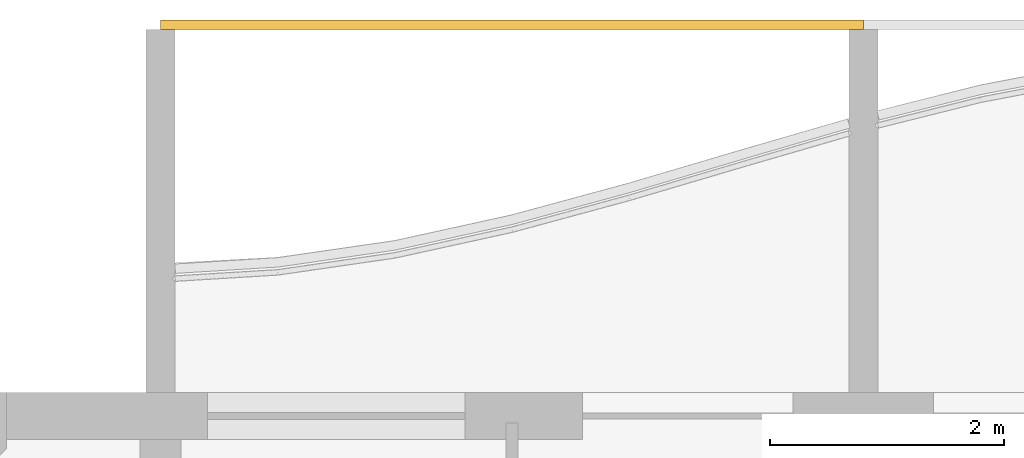
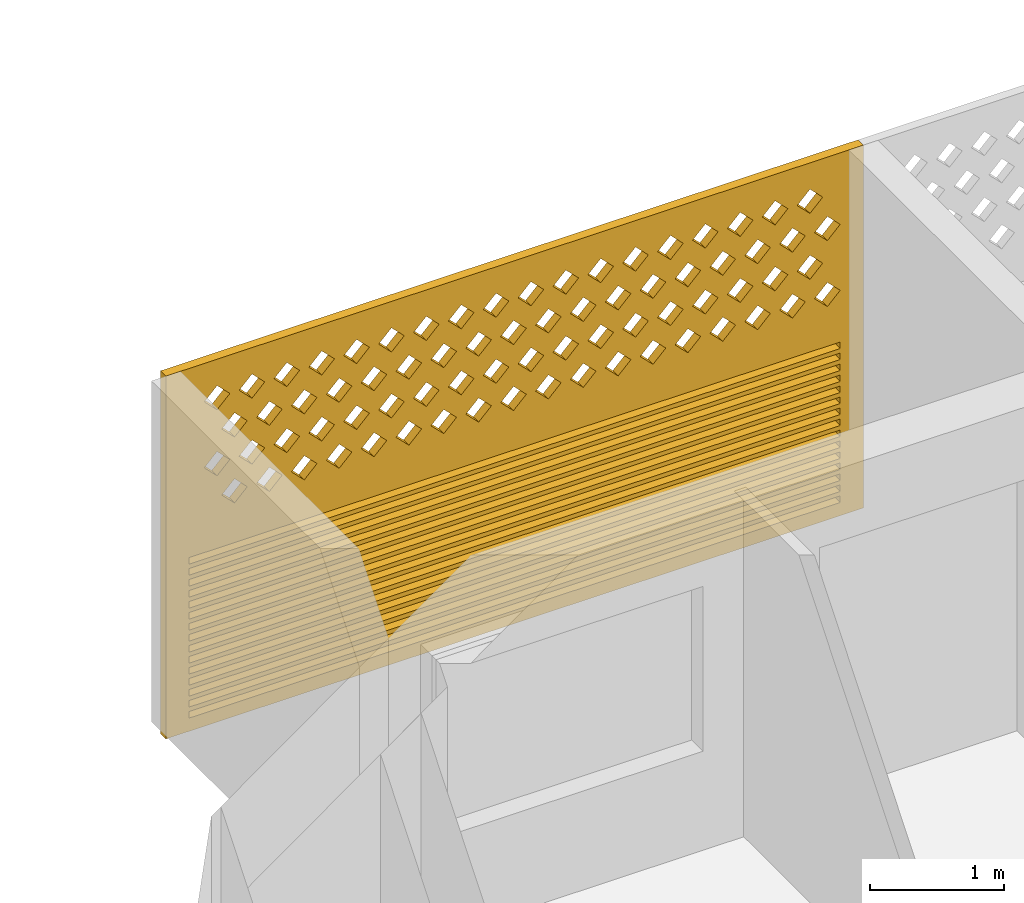
# One storey, part 19 of 27: 1 covering.
"""IFC4 building model written with IfcOpenShell, lengths in metres."""

import ifcopenshell
import ifcopenshell.guid

model = None  # the IFC model being written
_history = None  # IfcOwnerHistory: only IFC2X3 demands one
_inside = {}  # id of a spatial element -> (the spatial element, [elements in it])
_under = {}  # id of a project, library or spatial element -> (it, [spatial elements below it])
_declared = {}  # id of a project -> (the project, [libraries it declares])
_typed = {}  # id of a type object -> (the type object, [elements of that type])
_made_of = {}  # id of a material, layer set ... -> (it, [elements and type objects made of it])


def new_model(schema):
    """Start an empty IFC model of exactly this schema.

    Asked for "IFC4X3", IfcOpenShell would pick the latest addendum, in which some entities
    have other attributes; the version numbers below select the first issue.
    IFC2X3 requires an IfcOwnerHistory on every rooted entity: one is made here for all.
    """
    global model, _history
    if schema == "IFC4X3":
        model = ifcopenshell.file(schema_version=(4, 3, 0, 0))
    else:
        model = ifcopenshell.file(schema=schema)
    _inside.clear()
    _under.clear()
    _declared.clear()
    _typed.clear()
    _made_of.clear()
    _history = None
    if model.schema == "IFC2X3":
        org = make("IfcOrganization", Name="unknown")
        user = make(
            "IfcPersonAndOrganization",
            ThePerson=make("IfcPerson", FamilyName="unknown"),
            TheOrganization=org,
        )
        app = make(
            "IfcApplication",
            ApplicationDeveloper=org,
            Version="unknown",
            ApplicationFullName="unknown",
            ApplicationIdentifier="unknown",
        )
        _history = make(
            "IfcOwnerHistory",
            OwningUser=user,
            OwningApplication=app,
            ChangeAction="ADDED",
            CreationDate=0,
        )
    return model


def make(cls, **values):
    """One entity of the class cls with the attributes given. An attribute that is None is left unset."""
    return model.create_entity(
        cls, **{name: value for name, value in values.items() if value is not None}
    )


def rooted(cls, **values):
    """An entity with a GlobalId (a new one), such as an element, a storey or a relation."""
    return make(cls, GlobalId=ifcopenshell.guid.new(), OwnerHistory=_history, **values)


def si_unit(unit_type, name, prefix=None):
    """IfcSIUnit, for example si_unit("LENGTHUNIT", "METRE", prefix="MILLI")."""
    return make("IfcSIUnit", UnitType=unit_type, Prefix=prefix, Name=name)


def assignment(units):
    """IfcUnitAssignment: the units of a project."""
    return None if units is None else make("IfcUnitAssignment", Units=units)


def point(xyz):
    """IfcCartesianPoint."""
    return None if xyz is None else make("IfcCartesianPoint", Coordinates=xyz)


def direction(xyz):
    """IfcDirection."""
    return None if xyz is None else make("IfcDirection", DirectionRatios=xyz)


def frame(location, z_axis=None, x_axis=None):
    """IfcAxis2Placement3D, a coordinate frame: its origin and axes. An axis left out is left unset."""
    return make(
        "IfcAxis2Placement3D",
        Location=point(location),
        Axis=direction(z_axis),
        RefDirection=direction(x_axis),
    )


def origin():
    """The frame at (0, 0, 0) with its axes left unset."""
    return frame((0.0, 0.0, 0.0))


def place(relative_to, where):
    """IfcLocalPlacement: puts the frame where relative to a parent placement (None: the world)."""
    return make(
        "IfcLocalPlacement", PlacementRelTo=relative_to, RelativePlacement=where
    )


def context(
    kind, dimensions, precision=None, world=None, true_north=None, identifier=None
):
    """IfcGeometricRepresentationContext, for example the 3D "Model" context."""
    return make(
        "IfcGeometricRepresentationContext",
        ContextIdentifier=identifier,
        ContextType=kind,
        CoordinateSpaceDimension=dimensions,
        Precision=precision,
        WorldCoordinateSystem=world,
        TrueNorth=true_north,
    )


def subcontext(parent, identifier, kind, view, scale=None):
    """IfcGeometricRepresentationSubContext, for example "Body" below "Model"."""
    return make(
        "IfcGeometricRepresentationSubContext",
        ContextIdentifier=identifier,
        ContextType=kind,
        ParentContext=parent,
        TargetScale=scale,
        TargetView=view,
    )


def project(units=None, contexts=None):
    """IfcProject with its units and contexts."""
    return rooted(
        "IfcProject",
        Name="project",
        RepresentationContexts=contexts,
        UnitsInContext=assignment(units),
    )


def spatial(cls, under=None, at=None, **own):
    """A site, building, storey or space (cls), placed at a placement, below another one or the project."""
    s = rooted(cls, ObjectPlacement=at, **own)
    if under is not None:
        _under.setdefault(under.id(), (under, []))[1].append(s)
    return s


def polyline(points):
    """IfcPolyline through the points."""
    return make("IfcPolyline", Points=[point(p) for p in points])


def outline(outer, holes=None, kind="AREA"):
    """IfcArbitraryClosedProfileDef: a profile drawn as a closed curve; with holes, ...WithVoids."""
    if holes is None:
        return make("IfcArbitraryClosedProfileDef", ProfileType=kind, OuterCurve=outer)
    return make(
        "IfcArbitraryProfileDefWithVoids",
        ProfileType=kind,
        OuterCurve=outer,
        InnerCurves=holes,
    )


def extrude(swept, where, along, depth):
    """IfcExtrudedAreaSolid: the profile swept, set in the frame where, extruded along a direction by depth."""
    return make(
        "IfcExtrudedAreaSolid",
        SweptArea=swept,
        Position=where,
        ExtrudedDirection=direction(along),
        Depth=depth,
    )


def shape(context_of_items, identifier, shape_type, items):
    """IfcShapeRepresentation: the items that make up one representation, for example the "Body"."""
    return make(
        "IfcShapeRepresentation",
        ContextOfItems=context_of_items,
        RepresentationIdentifier=identifier,
        RepresentationType=shape_type,
        Items=items,
    )


def source(mapping_origin, context_of_items, identifier, shape_type, items):
    """IfcRepresentationMap: a shape defined once, which mapped items show again and again."""
    return make(
        "IfcRepresentationMap",
        MappingOrigin=mapping_origin,
        MappedRepresentation=shape(context_of_items, identifier, shape_type, items),
    )


def transform(
    local_origin,
    x_axis=None,
    y_axis=None,
    z_axis=None,
    scale=None,
    scale2=None,
    scale3=None,
    uniform=True,
):
    """IfcCartesianTransformationOperator3D, or its non-uniform kind. x_axis, y_axis, z_axis: its Axis1, 2, 3."""
    if uniform:
        return make(
            "IfcCartesianTransformationOperator3D",
            Axis1=direction(x_axis),
            Axis2=direction(y_axis),
            LocalOrigin=point(local_origin),
            Scale=scale,
            Axis3=direction(z_axis),
        )
    return make(
        "IfcCartesianTransformationOperator3DnonUniform",
        Axis1=direction(x_axis),
        Axis2=direction(y_axis),
        LocalOrigin=point(local_origin),
        Scale=scale,
        Axis3=direction(z_axis),
        Scale2=scale2,
        Scale3=scale3,
    )


def mapped(mapping_source, mapping_target):
    """IfcMappedItem: shows the shape of a source again, moved by a transform."""
    return make(
        "IfcMappedItem", MappingSource=mapping_source, MappingTarget=mapping_target
    )


def material(Name=None, Category=None):
    """IfcMaterial."""
    return make("IfcMaterial", Name=Name, Category=Category)


def material_profile(
    of_material, cross_section, Name=None, Category=None, Priority=None
):
    """IfcMaterialProfile: a cross section and its material."""
    return make(
        "IfcMaterialProfile",
        Name=Name,
        Material=of_material,
        Profile=cross_section,
        Priority=Priority,
        Category=Category,
    )


def profile_set(profiles, Name=None, composite=None):
    """IfcMaterialProfileSet."""
    return make(
        "IfcMaterialProfileSet",
        Name=Name,
        MaterialProfiles=profiles,
        CompositeProfile=composite,
    )


def made_of(thing, what):
    """Note that an element or type object is made of a material, layer set ...; save() writes the relation."""
    if what is not None:
        _made_of.setdefault(what.id(), (what, []))[1].append(thing)
    return thing


def type_object(cls, material=None, **own):
    """A type object (cls), such as IfcWallType, which elements share."""
    return made_of(rooted(cls, **own), material)


def element(
    cls,
    number,
    at=None,
    inside=None,
    cuts=None,
    type_object=None,
    material=None,
    context=None,
    identifier="Body",
    shape_type=None,
    held_by="IfcProductDefinitionShape",
    body=None,
    shapes=None,
    **own,
):
    """One element of the class cls, such as IfcWall. Its Tag is "e" and its number.

    at: its placement. inside: the storey or other place that contains it. cuts: it is an
    opening in that element (IfcRelVoidsElement). A single representation is given by context,
    identifier, shape_type and body (its items); several are given by shapes. held_by: the class
    of the entity that holds the representations. save() writes the other relations.
    """
    e = rooted(cls, Tag="e%d" % number, ObjectPlacement=at, **own)
    if body is not None:
        shapes = [shape(context, identifier, shape_type, body)]
    if shapes is not None:
        e.Representation = make(held_by, Representations=shapes)
    if inside is not None:
        _inside.setdefault(inside.id(), (inside, []))[1].append(e)
    if cuts is not None:
        rooted(
            "IfcRelVoidsElement", RelatingBuildingElement=cuts, RelatedOpeningElement=e
        )
    if type_object is not None:
        _typed.setdefault(type_object.id(), (type_object, []))[1].append(e)
    return made_of(e, material)


def aggregate(whole, parts):
    """IfcRelAggregates: a whole, such as a stair, and the parts it consists of."""
    return rooted("IfcRelAggregates", RelatingObject=whole, RelatedObjects=parts)


def save(model, path):
    """Write the relations noted so far, then the file.

    IfcRelAggregates (storeys below a building ...), IfcRelContainedInSpatialStructure (elements
    in a storey), IfcRelDefinesByType, IfcRelAssociatesMaterial and IfcRelDeclares: one each for
    every whole, place, type object, material and project.
    """
    for whole, parts in _under.values():
        aggregate(whole, parts)
    for where, things in _inside.values():
        rooted(
            "IfcRelContainedInSpatialStructure",
            RelatedElements=things,
            RelatingStructure=where,
        )
    for kind, things in _typed.values():
        rooted("IfcRelDefinesByType", RelatedObjects=things, RelatingType=kind)
    for what, things in _made_of.values():
        rooted("IfcRelAssociatesMaterial", RelatedObjects=things, RelatingMaterial=what)
    for by, libraries in _declared.values():
        rooted("IfcRelDeclares", RelatingContext=by, RelatedDefinitions=libraries)
    model.write(path)


model = new_model("IFC4")

# Units and contexts
model_context = context("Model", 3, precision=1e-05, world=origin(), true_north=direction((0.0, 1.0)))
body_context = subcontext(model_context, "Body", "Model", "MODEL_VIEW")
ifc_project = project(units=[si_unit("LENGTHUNIT", "METRE"), si_unit("AREAUNIT", "SQUARE_METRE"), si_unit("VOLUMEUNIT", "CUBIC_METRE"), si_unit("PLANEANGLEUNIT", "RADIAN"), si_unit("MASSUNIT", "GRAM", prefix="KILO")], contexts=[model_context])

# Site, building, storey
site_placement = place(None, origin())
site = spatial("IfcSite", under=ifc_project, at=site_placement, CompositionType="ELEMENT")
building_placement = place(site_placement, origin())
building = spatial("IfcBuilding", under=site, at=building_placement, Name="Poui Terraces", CompositionType="ELEMENT")
storey_placement = place(building_placement, frame((0.0, 0.0, 76.199951171875)))
storey = spatial("IfcBuildingStorey", under=building, at=storey_placement, Name="L20", CompositionType="ELEMENT", Elevation=76.199951171875)

# Covering
ifc_material = material(Name="Terracotta screen", Category="masonry")
ifc_material_profile = material_profile(ifc_material, outline(polyline([(-3.0, -1.64990234375), (3.0, -1.64990234375), (3.0, 1.64990234375), (-3.0, 1.64990234375), (-3.0, -1.64990234375)]), holes=[polyline([(-2.800048828125, 0.39990234375), (-2.68994140625, 0.2900390625), (-2.580078125, 0.39990234375), (-2.68994140625, 0.510009765625), (-2.800048828125, 0.39990234375)]), polyline([(-2.5, 0.39990234375), (-2.389892578125, 0.2900390625), (-2.280029296875, 0.39990234375), (-2.389892578125, 0.510009765625), (-2.5, 0.39990234375)]), polyline([(-2.199951171875, 0.39990234375), (-2.090087890625, 0.2900390625), (-1.97998046875, 0.39990234375), (-2.090087890625, 0.510009765625), (-2.199951171875, 0.39990234375)]), polyline([(-1.89990234375, 0.39990234375), (-1.7900390625, 0.2900390625), (-1.679931640625, 0.39990234375), (-1.7900390625, 0.510009765625), (-1.89990234375, 0.39990234375)]), polyline([(-1.60009765625, 0.39990234375), (-1.489990234375, 0.2900390625), (-1.3798828125, 0.39990234375), (-1.489990234375, 0.510009765625), (-1.60009765625, 0.39990234375)]), polyline([(-1.300048828125, 0.39990234375), (-1.18994140625, 0.2900390625), (-1.080078125, 0.39990234375), (-1.18994140625, 0.510009765625), (-1.300048828125, 0.39990234375)]), polyline([(-1.0, 0.39990234375), (-0.889892578125, 0.2900390625), (-0.780029296875, 0.39990234375), (-0.889892578125, 0.510009765625), (-1.0, 0.39990234375)]), polyline([(-0.699951171875, 0.39990234375), (-0.590087890625, 0.2900390625), (-0.47998046875, 0.39990234375), (-0.590087890625, 0.510009765625), (-0.699951171875, 0.39990234375)]), polyline([(-0.39990234375, 0.39990234375), (-0.2900390625, 0.2900390625), (-0.179931640625, 0.39990234375), (-0.2900390625, 0.510009765625), (-0.39990234375, 0.39990234375)]), polyline([(-0.10009765625, 0.39990234375), (0.010009765625, 0.2900390625), (0.1201171875, 0.39990234375), (0.010009765625, 0.510009765625), (-0.10009765625, 0.39990234375)]), polyline([(0.199951171875, 0.39990234375), (0.31005859375, 0.2900390625), (0.419921875, 0.39990234375), (0.31005859375, 0.510009765625), (0.199951171875, 0.39990234375)]), polyline([(0.5, 0.39990234375), (0.610107421875, 0.2900390625), (0.719970703125, 0.39990234375), (0.610107421875, 0.510009765625), (0.5, 0.39990234375)]), polyline([(0.800048828125, 0.39990234375), (0.909912109375, 0.2900390625), (1.02001953125, 0.39990234375), (0.909912109375, 0.510009765625), (0.800048828125, 0.39990234375)]), polyline([(1.10009765625, 0.39990234375), (1.2099609375, 0.2900390625), (1.320068359375, 0.39990234375), (1.2099609375, 0.510009765625), (1.10009765625, 0.39990234375)]), polyline([(1.39990234375, 0.39990234375), (1.510009765625, 0.2900390625), (1.6201171875, 0.39990234375), (1.510009765625, 0.510009765625), (1.39990234375, 0.39990234375)]), polyline([(1.699951171875, 0.39990234375), (1.81005859375, 0.2900390625), (1.919921875, 0.39990234375), (1.81005859375, 0.510009765625), (1.699951171875, 0.39990234375)]), polyline([(2.0, 0.39990234375), (2.110107421875, 0.2900390625), (2.219970703125, 0.39990234375), (2.110107421875, 0.510009765625), (2.0, 0.39990234375)]), polyline([(2.300048828125, 0.39990234375), (2.409912109375, 0.2900390625), (2.52001953125, 0.39990234375), (2.409912109375, 0.510009765625), (2.300048828125, 0.39990234375)]), polyline([(-2.64990234375, 0.699951171875), (-2.5400390625, 0.590087890625), (-2.429931640625, 0.699951171875), (-2.5400390625, 0.81005859375), (-2.64990234375, 0.699951171875)]), polyline([(-2.35009765625, 0.699951171875), (-2.239990234375, 0.590087890625), (-2.1298828125, 0.699951171875), (-2.239990234375, 0.81005859375), (-2.35009765625, 0.699951171875)]), polyline([(-2.050048828125, 0.699951171875), (-1.93994140625, 0.590087890625), (-1.830078125, 0.699951171875), (-1.93994140625, 0.81005859375), (-2.050048828125, 0.699951171875)]), polyline([(-1.75, 0.699951171875), (-1.639892578125, 0.590087890625), (-1.530029296875, 0.699951171875), (-1.639892578125, 0.81005859375), (-1.75, 0.699951171875)]), polyline([(-1.449951171875, 0.699951171875), (-1.340087890625, 0.590087890625), (-1.22998046875, 0.699951171875), (-1.340087890625, 0.81005859375), (-1.449951171875, 0.699951171875)]), polyline([(-1.14990234375, 0.699951171875), (-1.0400390625, 0.590087890625), (-0.929931640625, 0.699951171875), (-1.0400390625, 0.81005859375), (-1.14990234375, 0.699951171875)]), polyline([(-0.85009765625, 0.699951171875), (-0.739990234375, 0.590087890625), (-0.6298828125, 0.699951171875), (-0.739990234375, 0.81005859375), (-0.85009765625, 0.699951171875)]), polyline([(-0.550048828125, 0.699951171875), (-0.43994140625, 0.590087890625), (-0.330078125, 0.699951171875), (-0.43994140625, 0.81005859375), (-0.550048828125, 0.699951171875)]), polyline([(-0.25, 0.699951171875), (-0.139892578125, 0.590087890625), (-0.030029296875, 0.699951171875), (-0.139892578125, 0.81005859375), (-0.25, 0.699951171875)]), polyline([(0.050048828125, 0.699951171875), (0.159912109375, 0.590087890625), (0.27001953125, 0.699951171875), (0.159912109375, 0.81005859375), (0.050048828125, 0.699951171875)]), polyline([(0.35009765625, 0.699951171875), (0.4599609375, 0.590087890625), (0.570068359375, 0.699951171875), (0.4599609375, 0.81005859375), (0.35009765625, 0.699951171875)]), polyline([(0.64990234375, 0.699951171875), (0.760009765625, 0.590087890625), (0.8701171875, 0.699951171875), (0.760009765625, 0.81005859375), (0.64990234375, 0.699951171875)]), polyline([(0.949951171875, 0.699951171875), (1.06005859375, 0.590087890625), (1.169921875, 0.699951171875), (1.06005859375, 0.81005859375), (0.949951171875, 0.699951171875)]), polyline([(1.25, 0.699951171875), (1.360107421875, 0.590087890625), (1.469970703125, 0.699951171875), (1.360107421875, 0.81005859375), (1.25, 0.699951171875)]), polyline([(1.550048828125, 0.699951171875), (1.659912109375, 0.590087890625), (1.77001953125, 0.699951171875), (1.659912109375, 0.81005859375), (1.550048828125, 0.699951171875)]), polyline([(1.85009765625, 0.699951171875), (1.9599609375, 0.590087890625), (2.070068359375, 0.699951171875), (1.9599609375, 0.81005859375), (1.85009765625, 0.699951171875)]), polyline([(2.14990234375, 0.699951171875), (2.260009765625, 0.590087890625), (2.3701171875, 0.699951171875), (2.260009765625, 0.81005859375), (2.14990234375, 0.699951171875)]), polyline([(2.449951171875, 0.699951171875), (2.56005859375, 0.590087890625), (2.669921875, 0.699951171875), (2.56005859375, 0.81005859375), (2.449951171875, 0.699951171875)]), polyline([(-2.800048828125, 1.0), (-2.68994140625, 0.889892578125), (-2.580078125, 1.0), (-2.68994140625, 1.110107421875), (-2.800048828125, 1.0)]), polyline([(-2.5, 1.0), (-2.389892578125, 0.889892578125), (-2.280029296875, 1.0), (-2.389892578125, 1.110107421875), (-2.5, 1.0)]), polyline([(-2.199951171875, 1.0), (-2.090087890625, 0.889892578125), (-1.97998046875, 1.0), (-2.090087890625, 1.110107421875), (-2.199951171875, 1.0)]), polyline([(-1.89990234375, 1.0), (-1.7900390625, 0.889892578125), (-1.679931640625, 1.0), (-1.7900390625, 1.110107421875), (-1.89990234375, 1.0)]), polyline([(-1.60009765625, 1.0), (-1.489990234375, 0.889892578125), (-1.3798828125, 1.0), (-1.489990234375, 1.110107421875), (-1.60009765625, 1.0)]), polyline([(-1.300048828125, 1.0), (-1.18994140625, 0.889892578125), (-1.080078125, 1.0), (-1.18994140625, 1.110107421875), (-1.300048828125, 1.0)]), polyline([(-1.0, 1.0), (-0.889892578125, 0.889892578125), (-0.780029296875, 1.0), (-0.889892578125, 1.110107421875), (-1.0, 1.0)]), polyline([(-0.699951171875, 1.0), (-0.590087890625, 0.889892578125), (-0.47998046875, 1.0), (-0.590087890625, 1.110107421875), (-0.699951171875, 1.0)]), polyline([(-0.39990234375, 1.0), (-0.2900390625, 0.889892578125), (-0.179931640625, 1.0), (-0.2900390625, 1.110107421875), (-0.39990234375, 1.0)]), polyline([(-0.10009765625, 1.0), (0.010009765625, 0.889892578125), (0.1201171875, 1.0), (0.010009765625, 1.110107421875), (-0.10009765625, 1.0)]), polyline([(0.199951171875, 1.0), (0.31005859375, 0.889892578125), (0.419921875, 1.0), (0.31005859375, 1.110107421875), (0.199951171875, 1.0)]), polyline([(0.5, 1.0), (0.610107421875, 0.889892578125), (0.719970703125, 1.0), (0.610107421875, 1.110107421875), (0.5, 1.0)]), polyline([(0.800048828125, 1.0), (0.909912109375, 0.889892578125), (1.02001953125, 1.0), (0.909912109375, 1.110107421875), (0.800048828125, 1.0)]), polyline([(1.10009765625, 1.0), (1.2099609375, 0.889892578125), (1.320068359375, 1.0), (1.2099609375, 1.110107421875), (1.10009765625, 1.0)]), polyline([(1.39990234375, 1.0), (1.510009765625, 0.889892578125), (1.6201171875, 1.0), (1.510009765625, 1.110107421875), (1.39990234375, 1.0)]), polyline([(1.699951171875, 1.0), (1.81005859375, 0.889892578125), (1.919921875, 1.0), (1.81005859375, 1.110107421875), (1.699951171875, 1.0)]), polyline([(2.0, 1.0), (2.110107421875, 0.889892578125), (2.219970703125, 1.0), (2.110107421875, 1.110107421875), (2.0, 1.0)]), polyline([(2.300048828125, 1.0), (2.409912109375, 0.889892578125), (2.52001953125, 1.0), (2.409912109375, 1.110107421875), (2.300048828125, 1.0)]), polyline([(-2.64990234375, 1.300048828125), (-2.5400390625, 1.18994140625), (-2.429931640625, 1.300048828125), (-2.5400390625, 1.409912109375), (-2.64990234375, 1.300048828125)]), polyline([(-2.35009765625, 1.300048828125), (-2.239990234375, 1.18994140625), (-2.1298828125, 1.300048828125), (-2.239990234375, 1.409912109375), (-2.35009765625, 1.300048828125)]), polyline([(-2.050048828125, 1.300048828125), (-1.93994140625, 1.18994140625), (-1.830078125, 1.300048828125), (-1.93994140625, 1.409912109375), (-2.050048828125, 1.300048828125)]), polyline([(-1.75, 1.300048828125), (-1.639892578125, 1.18994140625), (-1.530029296875, 1.300048828125), (-1.639892578125, 1.409912109375), (-1.75, 1.300048828125)]), polyline([(-1.449951171875, 1.300048828125), (-1.340087890625, 1.18994140625), (-1.22998046875, 1.300048828125), (-1.340087890625, 1.409912109375), (-1.449951171875, 1.300048828125)]), polyline([(-1.14990234375, 1.300048828125), (-1.0400390625, 1.18994140625), (-0.929931640625, 1.300048828125), (-1.0400390625, 1.409912109375), (-1.14990234375, 1.300048828125)]), polyline([(-0.85009765625, 1.300048828125), (-0.739990234375, 1.18994140625), (-0.6298828125, 1.300048828125), (-0.739990234375, 1.409912109375), (-0.85009765625, 1.300048828125)]), polyline([(-0.550048828125, 1.300048828125), (-0.43994140625, 1.18994140625), (-0.330078125, 1.300048828125), (-0.43994140625, 1.409912109375), (-0.550048828125, 1.300048828125)]), polyline([(-0.25, 1.300048828125), (-0.139892578125, 1.18994140625), (-0.030029296875, 1.300048828125), (-0.139892578125, 1.409912109375), (-0.25, 1.300048828125)]), polyline([(0.050048828125, 1.300048828125), (0.159912109375, 1.18994140625), (0.27001953125, 1.300048828125), (0.159912109375, 1.409912109375), (0.050048828125, 1.300048828125)]), polyline([(0.35009765625, 1.300048828125), (0.4599609375, 1.18994140625), (0.570068359375, 1.300048828125), (0.4599609375, 1.409912109375), (0.35009765625, 1.300048828125)]), polyline([(0.64990234375, 1.300048828125), (0.760009765625, 1.18994140625), (0.8701171875, 1.300048828125), (0.760009765625, 1.409912109375), (0.64990234375, 1.300048828125)]), polyline([(0.949951171875, 1.300048828125), (1.06005859375, 1.18994140625), (1.169921875, 1.300048828125), (1.06005859375, 1.409912109375), (0.949951171875, 1.300048828125)]), polyline([(1.25, 1.300048828125), (1.360107421875, 1.18994140625), (1.469970703125, 1.300048828125), (1.360107421875, 1.409912109375), (1.25, 1.300048828125)]), polyline([(1.550048828125, 1.300048828125), (1.659912109375, 1.18994140625), (1.77001953125, 1.300048828125), (1.659912109375, 1.409912109375), (1.550048828125, 1.300048828125)]), polyline([(1.85009765625, 1.300048828125), (1.9599609375, 1.18994140625), (2.070068359375, 1.300048828125), (1.9599609375, 1.409912109375), (1.85009765625, 1.300048828125)]), polyline([(2.14990234375, 1.300048828125), (2.260009765625, 1.18994140625), (2.3701171875, 1.300048828125), (2.260009765625, 1.409912109375), (2.14990234375, 1.300048828125)]), polyline([(2.449951171875, 1.300048828125), (2.56005859375, 1.18994140625), (2.669921875, 1.300048828125), (2.56005859375, 1.409912109375), (2.449951171875, 1.300048828125)]), polyline([(-2.800048828125, -1.530029296875), (2.800048828125, -1.530029296875), (2.800048828125, -1.469970703125), (-2.800048828125, -1.469970703125), (-2.800048828125, -1.530029296875)]), polyline([(-2.800048828125, -1.429931640625), (2.800048828125, -1.429931640625), (2.800048828125, -1.3701171875), (-2.800048828125, -1.3701171875), (-2.800048828125, -1.429931640625)]), polyline([(-2.800048828125, -1.330078125), (2.800048828125, -1.330078125), (2.800048828125, -1.27001953125), (-2.800048828125, -1.27001953125), (-2.800048828125, -1.330078125)]), polyline([(-2.800048828125, -1.22998046875), (2.800048828125, -1.22998046875), (2.800048828125, -1.169921875), (-2.800048828125, -1.169921875), (-2.800048828125, -1.22998046875)]), polyline([(-2.800048828125, -1.1298828125), (2.800048828125, -1.1298828125), (2.800048828125, -1.070068359375), (-2.800048828125, -1.070068359375), (-2.800048828125, -1.1298828125)]), polyline([(-2.800048828125, -1.030029296875), (2.800048828125, -1.030029296875), (2.800048828125, -0.969970703125), (-2.800048828125, -0.969970703125), (-2.800048828125, -1.030029296875)]), polyline([(-2.800048828125, -0.929931640625), (2.800048828125, -0.929931640625), (2.800048828125, -0.8701171875), (-2.800048828125, -0.8701171875), (-2.800048828125, -0.929931640625)]), polyline([(-2.800048828125, -0.830078125), (2.800048828125, -0.830078125), (2.800048828125, -0.77001953125), (-2.800048828125, -0.77001953125), (-2.800048828125, -0.830078125)]), polyline([(-2.800048828125, -0.72998046875), (2.800048828125, -0.72998046875), (2.800048828125, -0.669921875), (-2.800048828125, -0.669921875), (-2.800048828125, -0.72998046875)]), polyline([(-2.800048828125, -0.6298828125), (2.800048828125, -0.6298828125), (2.800048828125, -0.570068359375), (-2.800048828125, -0.570068359375), (-2.800048828125, -0.6298828125)]), polyline([(-2.800048828125, -0.530029296875), (2.800048828125, -0.530029296875), (2.800048828125, -0.469970703125), (-2.800048828125, -0.469970703125), (-2.800048828125, -0.530029296875)]), polyline([(-2.800048828125, -0.429931640625), (2.800048828125, -0.429931640625), (2.800048828125, -0.3701171875), (-2.800048828125, -0.3701171875), (-2.800048828125, -0.429931640625)]), polyline([(-2.800048828125, -0.330078125), (2.800048828125, -0.330078125), (2.800048828125, -0.27001953125), (-2.800048828125, -0.27001953125), (-2.800048828125, -0.330078125)]), polyline([(-2.800048828125, -0.22998046875), (2.800048828125, -0.22998046875), (2.800048828125, -0.169921875), (-2.800048828125, -0.169921875), (-2.800048828125, -0.22998046875)]), polyline([(-2.800048828125, -0.1298828125), (2.800048828125, -0.1298828125), (2.800048828125, -0.070068359375), (-2.800048828125, -0.070068359375), (-2.800048828125, -0.1298828125)])]), Name="TERRACOTTA SCREEN AND JALOUSIE LOUVRE 6000X3300")
ifc_profile_set = profile_set([ifc_material_profile], Name="Terracotta screen")
covering_type = type_object("IfcCoveringType", Name="TERRACOTTA SCREEN AND JALOUSIE LOUVRE 6000X3300", PredefinedType="CLADDING", material=ifc_profile_set)
shared_shape = source(origin(), body_context, "Body", "SweptSolid", [
    extrude(outline(polyline([(-3.0, -1.64990234375), (3.0, -1.64990234375), (3.0, 1.64990234375), (-3.0, 1.64990234375), (-3.0, -1.64990234375)]), holes=[polyline([(-2.800048828125, 0.39990234375), (-2.68994140625, 0.2900390625), (-2.580078125, 0.39990234375), (-2.68994140625, 0.510009765625), (-2.800048828125, 0.39990234375)]), polyline([(-2.5, 0.39990234375), (-2.389892578125, 0.2900390625), (-2.280029296875, 0.39990234375), (-2.389892578125, 0.510009765625), (-2.5, 0.39990234375)]), polyline([(-2.199951171875, 0.39990234375), (-2.090087890625, 0.2900390625), (-1.97998046875, 0.39990234375), (-2.090087890625, 0.510009765625), (-2.199951171875, 0.39990234375)]), polyline([(-1.89990234375, 0.39990234375), (-1.7900390625, 0.2900390625), (-1.679931640625, 0.39990234375), (-1.7900390625, 0.510009765625), (-1.89990234375, 0.39990234375)]), polyline([(-1.60009765625, 0.39990234375), (-1.489990234375, 0.2900390625), (-1.3798828125, 0.39990234375), (-1.489990234375, 0.510009765625), (-1.60009765625, 0.39990234375)]), polyline([(-1.300048828125, 0.39990234375), (-1.18994140625, 0.2900390625), (-1.080078125, 0.39990234375), (-1.18994140625, 0.510009765625), (-1.300048828125, 0.39990234375)]), polyline([(-1.0, 0.39990234375), (-0.889892578125, 0.2900390625), (-0.780029296875, 0.39990234375), (-0.889892578125, 0.510009765625), (-1.0, 0.39990234375)]), polyline([(-0.699951171875, 0.39990234375), (-0.590087890625, 0.2900390625), (-0.47998046875, 0.39990234375), (-0.590087890625, 0.510009765625), (-0.699951171875, 0.39990234375)]), polyline([(-0.39990234375, 0.39990234375), (-0.2900390625, 0.2900390625), (-0.179931640625, 0.39990234375), (-0.2900390625, 0.510009765625), (-0.39990234375, 0.39990234375)]), polyline([(-0.10009765625, 0.39990234375), (0.010009765625, 0.2900390625), (0.1201171875, 0.39990234375), (0.010009765625, 0.510009765625), (-0.10009765625, 0.39990234375)]), polyline([(0.199951171875, 0.39990234375), (0.31005859375, 0.2900390625), (0.419921875, 0.39990234375), (0.31005859375, 0.510009765625), (0.199951171875, 0.39990234375)]), polyline([(0.5, 0.39990234375), (0.610107421875, 0.2900390625), (0.719970703125, 0.39990234375), (0.610107421875, 0.510009765625), (0.5, 0.39990234375)]), polyline([(0.800048828125, 0.39990234375), (0.909912109375, 0.2900390625), (1.02001953125, 0.39990234375), (0.909912109375, 0.510009765625), (0.800048828125, 0.39990234375)]), polyline([(1.10009765625, 0.39990234375), (1.2099609375, 0.2900390625), (1.320068359375, 0.39990234375), (1.2099609375, 0.510009765625), (1.10009765625, 0.39990234375)]), polyline([(1.39990234375, 0.39990234375), (1.510009765625, 0.2900390625), (1.6201171875, 0.39990234375), (1.510009765625, 0.510009765625), (1.39990234375, 0.39990234375)]), polyline([(1.699951171875, 0.39990234375), (1.81005859375, 0.2900390625), (1.919921875, 0.39990234375), (1.81005859375, 0.510009765625), (1.699951171875, 0.39990234375)]), polyline([(2.0, 0.39990234375), (2.110107421875, 0.2900390625), (2.219970703125, 0.39990234375), (2.110107421875, 0.510009765625), (2.0, 0.39990234375)]), polyline([(2.300048828125, 0.39990234375), (2.409912109375, 0.2900390625), (2.52001953125, 0.39990234375), (2.409912109375, 0.510009765625), (2.300048828125, 0.39990234375)]), polyline([(-2.64990234375, 0.699951171875), (-2.5400390625, 0.590087890625), (-2.429931640625, 0.699951171875), (-2.5400390625, 0.81005859375), (-2.64990234375, 0.699951171875)]), polyline([(-2.35009765625, 0.699951171875), (-2.239990234375, 0.590087890625), (-2.1298828125, 0.699951171875), (-2.239990234375, 0.81005859375), (-2.35009765625, 0.699951171875)]), polyline([(-2.050048828125, 0.699951171875), (-1.93994140625, 0.590087890625), (-1.830078125, 0.699951171875), (-1.93994140625, 0.81005859375), (-2.050048828125, 0.699951171875)]), polyline([(-1.75, 0.699951171875), (-1.639892578125, 0.590087890625), (-1.530029296875, 0.699951171875), (-1.639892578125, 0.81005859375), (-1.75, 0.699951171875)]), polyline([(-1.449951171875, 0.699951171875), (-1.340087890625, 0.590087890625), (-1.22998046875, 0.699951171875), (-1.340087890625, 0.81005859375), (-1.449951171875, 0.699951171875)]), polyline([(-1.14990234375, 0.699951171875), (-1.0400390625, 0.590087890625), (-0.929931640625, 0.699951171875), (-1.0400390625, 0.81005859375), (-1.14990234375, 0.699951171875)]), polyline([(-0.85009765625, 0.699951171875), (-0.739990234375, 0.590087890625), (-0.6298828125, 0.699951171875), (-0.739990234375, 0.81005859375), (-0.85009765625, 0.699951171875)]), polyline([(-0.550048828125, 0.699951171875), (-0.43994140625, 0.590087890625), (-0.330078125, 0.699951171875), (-0.43994140625, 0.81005859375), (-0.550048828125, 0.699951171875)]), polyline([(-0.25, 0.699951171875), (-0.139892578125, 0.590087890625), (-0.030029296875, 0.699951171875), (-0.139892578125, 0.81005859375), (-0.25, 0.699951171875)]), polyline([(0.050048828125, 0.699951171875), (0.159912109375, 0.590087890625), (0.27001953125, 0.699951171875), (0.159912109375, 0.81005859375), (0.050048828125, 0.699951171875)]), polyline([(0.35009765625, 0.699951171875), (0.4599609375, 0.590087890625), (0.570068359375, 0.699951171875), (0.4599609375, 0.81005859375), (0.35009765625, 0.699951171875)]), polyline([(0.64990234375, 0.699951171875), (0.760009765625, 0.590087890625), (0.8701171875, 0.699951171875), (0.760009765625, 0.81005859375), (0.64990234375, 0.699951171875)]), polyline([(0.949951171875, 0.699951171875), (1.06005859375, 0.590087890625), (1.169921875, 0.699951171875), (1.06005859375, 0.81005859375), (0.949951171875, 0.699951171875)]), polyline([(1.25, 0.699951171875), (1.360107421875, 0.590087890625), (1.469970703125, 0.699951171875), (1.360107421875, 0.81005859375), (1.25, 0.699951171875)]), polyline([(1.550048828125, 0.699951171875), (1.659912109375, 0.590087890625), (1.77001953125, 0.699951171875), (1.659912109375, 0.81005859375), (1.550048828125, 0.699951171875)]), polyline([(1.85009765625, 0.699951171875), (1.9599609375, 0.590087890625), (2.070068359375, 0.699951171875), (1.9599609375, 0.81005859375), (1.85009765625, 0.699951171875)]), polyline([(2.14990234375, 0.699951171875), (2.260009765625, 0.590087890625), (2.3701171875, 0.699951171875), (2.260009765625, 0.81005859375), (2.14990234375, 0.699951171875)]), polyline([(2.449951171875, 0.699951171875), (2.56005859375, 0.590087890625), (2.669921875, 0.699951171875), (2.56005859375, 0.81005859375), (2.449951171875, 0.699951171875)]), polyline([(-2.800048828125, 1.0), (-2.68994140625, 0.889892578125), (-2.580078125, 1.0), (-2.68994140625, 1.110107421875), (-2.800048828125, 1.0)]), polyline([(-2.5, 1.0), (-2.389892578125, 0.889892578125), (-2.280029296875, 1.0), (-2.389892578125, 1.110107421875), (-2.5, 1.0)]), polyline([(-2.199951171875, 1.0), (-2.090087890625, 0.889892578125), (-1.97998046875, 1.0), (-2.090087890625, 1.110107421875), (-2.199951171875, 1.0)]), polyline([(-1.89990234375, 1.0), (-1.7900390625, 0.889892578125), (-1.679931640625, 1.0), (-1.7900390625, 1.110107421875), (-1.89990234375, 1.0)]), polyline([(-1.60009765625, 1.0), (-1.489990234375, 0.889892578125), (-1.3798828125, 1.0), (-1.489990234375, 1.110107421875), (-1.60009765625, 1.0)]), polyline([(-1.300048828125, 1.0), (-1.18994140625, 0.889892578125), (-1.080078125, 1.0), (-1.18994140625, 1.110107421875), (-1.300048828125, 1.0)]), polyline([(-1.0, 1.0), (-0.889892578125, 0.889892578125), (-0.780029296875, 1.0), (-0.889892578125, 1.110107421875), (-1.0, 1.0)]), polyline([(-0.699951171875, 1.0), (-0.590087890625, 0.889892578125), (-0.47998046875, 1.0), (-0.590087890625, 1.110107421875), (-0.699951171875, 1.0)]), polyline([(-0.39990234375, 1.0), (-0.2900390625, 0.889892578125), (-0.179931640625, 1.0), (-0.2900390625, 1.110107421875), (-0.39990234375, 1.0)]), polyline([(-0.10009765625, 1.0), (0.010009765625, 0.889892578125), (0.1201171875, 1.0), (0.010009765625, 1.110107421875), (-0.10009765625, 1.0)]), polyline([(0.199951171875, 1.0), (0.31005859375, 0.889892578125), (0.419921875, 1.0), (0.31005859375, 1.110107421875), (0.199951171875, 1.0)]), polyline([(0.5, 1.0), (0.610107421875, 0.889892578125), (0.719970703125, 1.0), (0.610107421875, 1.110107421875), (0.5, 1.0)]), polyline([(0.800048828125, 1.0), (0.909912109375, 0.889892578125), (1.02001953125, 1.0), (0.909912109375, 1.110107421875), (0.800048828125, 1.0)]), polyline([(1.10009765625, 1.0), (1.2099609375, 0.889892578125), (1.320068359375, 1.0), (1.2099609375, 1.110107421875), (1.10009765625, 1.0)]), polyline([(1.39990234375, 1.0), (1.510009765625, 0.889892578125), (1.6201171875, 1.0), (1.510009765625, 1.110107421875), (1.39990234375, 1.0)]), polyline([(1.699951171875, 1.0), (1.81005859375, 0.889892578125), (1.919921875, 1.0), (1.81005859375, 1.110107421875), (1.699951171875, 1.0)]), polyline([(2.0, 1.0), (2.110107421875, 0.889892578125), (2.219970703125, 1.0), (2.110107421875, 1.110107421875), (2.0, 1.0)]), polyline([(2.300048828125, 1.0), (2.409912109375, 0.889892578125), (2.52001953125, 1.0), (2.409912109375, 1.110107421875), (2.300048828125, 1.0)]), polyline([(-2.64990234375, 1.300048828125), (-2.5400390625, 1.18994140625), (-2.429931640625, 1.300048828125), (-2.5400390625, 1.409912109375), (-2.64990234375, 1.300048828125)]), polyline([(-2.35009765625, 1.300048828125), (-2.239990234375, 1.18994140625), (-2.1298828125, 1.300048828125), (-2.239990234375, 1.409912109375), (-2.35009765625, 1.300048828125)]), polyline([(-2.050048828125, 1.300048828125), (-1.93994140625, 1.18994140625), (-1.830078125, 1.300048828125), (-1.93994140625, 1.409912109375), (-2.050048828125, 1.300048828125)]), polyline([(-1.75, 1.300048828125), (-1.639892578125, 1.18994140625), (-1.530029296875, 1.300048828125), (-1.639892578125, 1.409912109375), (-1.75, 1.300048828125)]), polyline([(-1.449951171875, 1.300048828125), (-1.340087890625, 1.18994140625), (-1.22998046875, 1.300048828125), (-1.340087890625, 1.409912109375), (-1.449951171875, 1.300048828125)]), polyline([(-1.14990234375, 1.300048828125), (-1.0400390625, 1.18994140625), (-0.929931640625, 1.300048828125), (-1.0400390625, 1.409912109375), (-1.14990234375, 1.300048828125)]), polyline([(-0.85009765625, 1.300048828125), (-0.739990234375, 1.18994140625), (-0.6298828125, 1.300048828125), (-0.739990234375, 1.409912109375), (-0.85009765625, 1.300048828125)]), polyline([(-0.550048828125, 1.300048828125), (-0.43994140625, 1.18994140625), (-0.330078125, 1.300048828125), (-0.43994140625, 1.409912109375), (-0.550048828125, 1.300048828125)]), polyline([(-0.25, 1.300048828125), (-0.139892578125, 1.18994140625), (-0.030029296875, 1.300048828125), (-0.139892578125, 1.409912109375), (-0.25, 1.300048828125)]), polyline([(0.050048828125, 1.300048828125), (0.159912109375, 1.18994140625), (0.27001953125, 1.300048828125), (0.159912109375, 1.409912109375), (0.050048828125, 1.300048828125)]), polyline([(0.35009765625, 1.300048828125), (0.4599609375, 1.18994140625), (0.570068359375, 1.300048828125), (0.4599609375, 1.409912109375), (0.35009765625, 1.300048828125)]), polyline([(0.64990234375, 1.300048828125), (0.760009765625, 1.18994140625), (0.8701171875, 1.300048828125), (0.760009765625, 1.409912109375), (0.64990234375, 1.300048828125)]), polyline([(0.949951171875, 1.300048828125), (1.06005859375, 1.18994140625), (1.169921875, 1.300048828125), (1.06005859375, 1.409912109375), (0.949951171875, 1.300048828125)]), polyline([(1.25, 1.300048828125), (1.360107421875, 1.18994140625), (1.469970703125, 1.300048828125), (1.360107421875, 1.409912109375), (1.25, 1.300048828125)]), polyline([(1.550048828125, 1.300048828125), (1.659912109375, 1.18994140625), (1.77001953125, 1.300048828125), (1.659912109375, 1.409912109375), (1.550048828125, 1.300048828125)]), polyline([(1.85009765625, 1.300048828125), (1.9599609375, 1.18994140625), (2.070068359375, 1.300048828125), (1.9599609375, 1.409912109375), (1.85009765625, 1.300048828125)]), polyline([(2.14990234375, 1.300048828125), (2.260009765625, 1.18994140625), (2.3701171875, 1.300048828125), (2.260009765625, 1.409912109375), (2.14990234375, 1.300048828125)]), polyline([(2.449951171875, 1.300048828125), (2.56005859375, 1.18994140625), (2.669921875, 1.300048828125), (2.56005859375, 1.409912109375), (2.449951171875, 1.300048828125)]), polyline([(-2.800048828125, -1.530029296875), (2.800048828125, -1.530029296875), (2.800048828125, -1.469970703125), (-2.800048828125, -1.469970703125), (-2.800048828125, -1.530029296875)]), polyline([(-2.800048828125, -1.429931640625), (2.800048828125, -1.429931640625), (2.800048828125, -1.3701171875), (-2.800048828125, -1.3701171875), (-2.800048828125, -1.429931640625)]), polyline([(-2.800048828125, -1.330078125), (2.800048828125, -1.330078125), (2.800048828125, -1.27001953125), (-2.800048828125, -1.27001953125), (-2.800048828125, -1.330078125)]), polyline([(-2.800048828125, -1.22998046875), (2.800048828125, -1.22998046875), (2.800048828125, -1.169921875), (-2.800048828125, -1.169921875), (-2.800048828125, -1.22998046875)]), polyline([(-2.800048828125, -1.1298828125), (2.800048828125, -1.1298828125), (2.800048828125, -1.070068359375), (-2.800048828125, -1.070068359375), (-2.800048828125, -1.1298828125)]), polyline([(-2.800048828125, -1.030029296875), (2.800048828125, -1.030029296875), (2.800048828125, -0.969970703125), (-2.800048828125, -0.969970703125), (-2.800048828125, -1.030029296875)]), polyline([(-2.800048828125, -0.929931640625), (2.800048828125, -0.929931640625), (2.800048828125, -0.8701171875), (-2.800048828125, -0.8701171875), (-2.800048828125, -0.929931640625)]), polyline([(-2.800048828125, -0.830078125), (2.800048828125, -0.830078125), (2.800048828125, -0.77001953125), (-2.800048828125, -0.77001953125), (-2.800048828125, -0.830078125)]), polyline([(-2.800048828125, -0.72998046875), (2.800048828125, -0.72998046875), (2.800048828125, -0.669921875), (-2.800048828125, -0.669921875), (-2.800048828125, -0.72998046875)]), polyline([(-2.800048828125, -0.6298828125), (2.800048828125, -0.6298828125), (2.800048828125, -0.570068359375), (-2.800048828125, -0.570068359375), (-2.800048828125, -0.6298828125)]), polyline([(-2.800048828125, -0.530029296875), (2.800048828125, -0.530029296875), (2.800048828125, -0.469970703125), (-2.800048828125, -0.469970703125), (-2.800048828125, -0.530029296875)]), polyline([(-2.800048828125, -0.429931640625), (2.800048828125, -0.429931640625), (2.800048828125, -0.3701171875), (-2.800048828125, -0.3701171875), (-2.800048828125, -0.429931640625)]), polyline([(-2.800048828125, -0.330078125), (2.800048828125, -0.330078125), (2.800048828125, -0.27001953125), (-2.800048828125, -0.27001953125), (-2.800048828125, -0.330078125)]), polyline([(-2.800048828125, -0.22998046875), (2.800048828125, -0.22998046875), (2.800048828125, -0.169921875), (-2.800048828125, -0.169921875), (-2.800048828125, -0.22998046875)]), polyline([(-2.800048828125, -0.1298828125), (2.800048828125, -0.1298828125), (2.800048828125, -0.070068359375), (-2.800048828125, -0.070068359375), (-2.800048828125, -0.1298828125)])]), origin(), (0.0, 0.0, 1.0), 0.080078125),
])
covering_placement = place(storey_placement, frame((15.0, 46.89990234375, 1.449951171875), z_axis=(0.0, 1.0, 0.0), x_axis=(-1.0, 0.0, 0.0)))
element("IfcCovering", 1, at=covering_placement, inside=storey, type_object=covering_type, Name="SOLAR SCREEN AND JALOUSIE LOUVRE", PredefinedType="CLADDING", context=body_context, shape_type="MappedRepresentation", body=[
    mapped(shared_shape, transform((0.0, 0.0, 0.0))),
])

save(model, "model.ifc")
